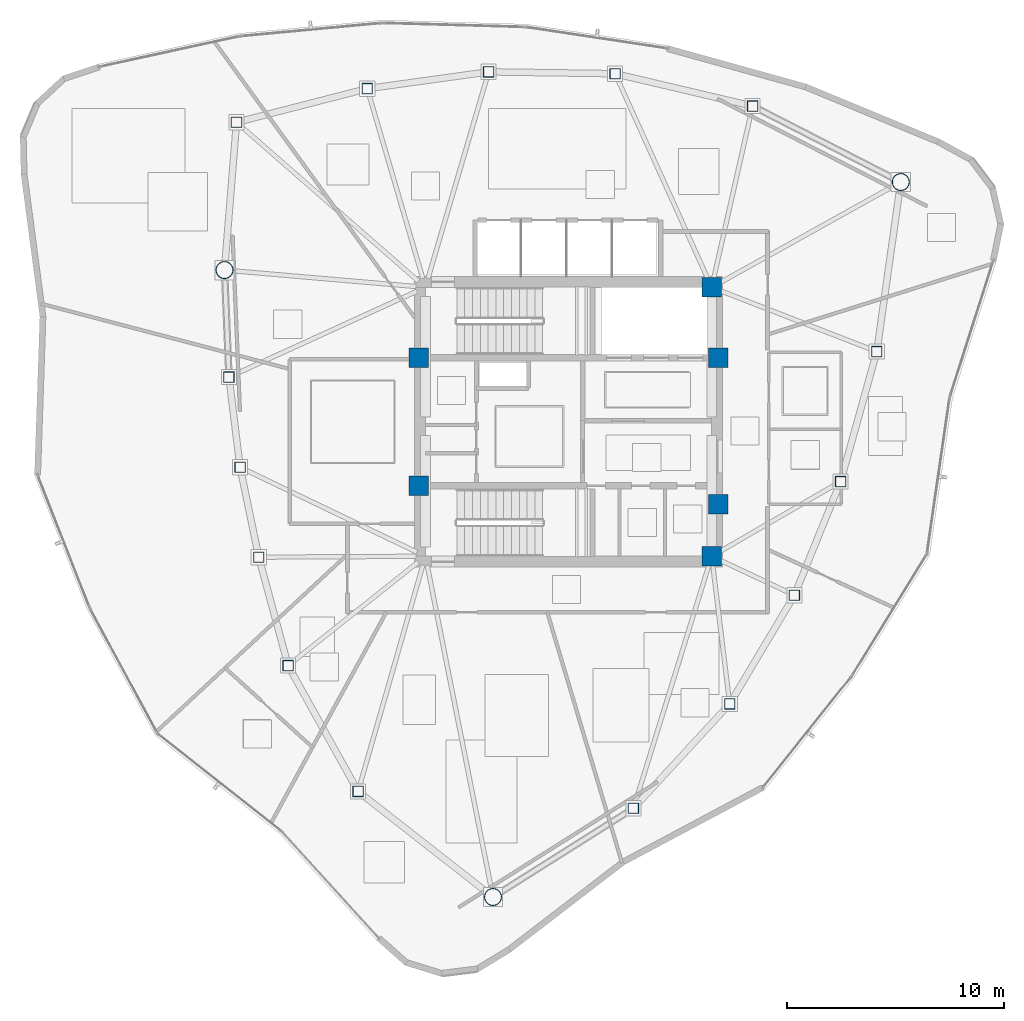
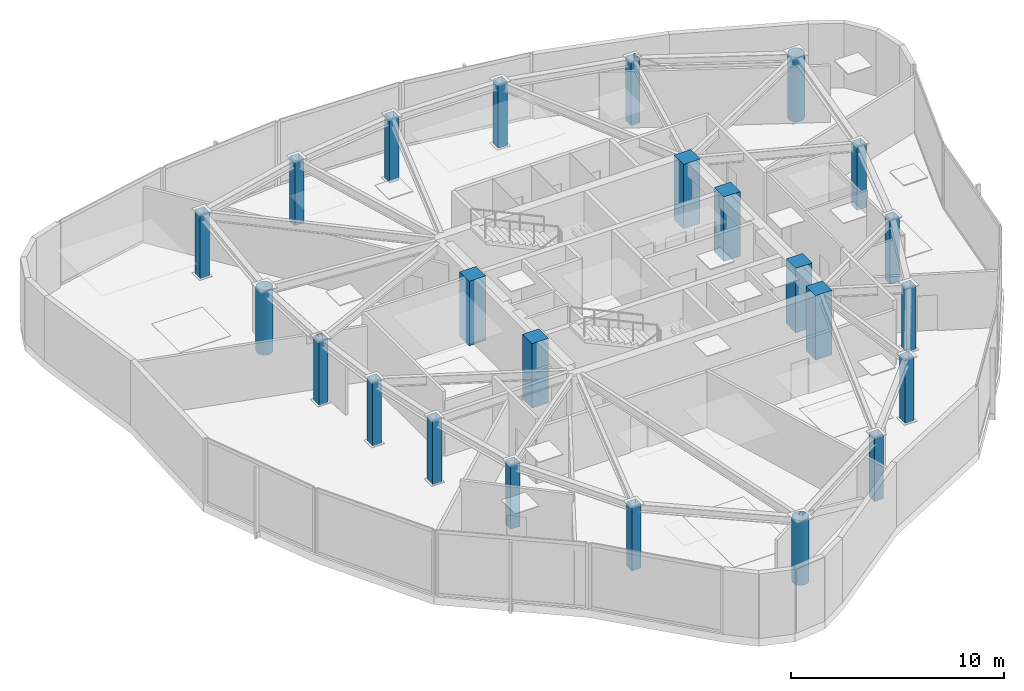
# One storey, part 1 of 14: 24 columns.
"""IFC4 building model written with IfcOpenShell, lengths in metres."""

from ifc_helpers import new_model, si_unit, direction, frame, origin, origin_2d, place, context, subcontext, project, spatial, rectangle, hollow_rectangle, hollow_circle, extrude, material, material_profile, profile_set, type_object, element, save


model = new_model("IFC4")

# Units and contexts
model_context = context("Model", 3, precision=1e-05, world=origin(), true_north=direction((0.0, 1.0)))
body_context = subcontext(model_context, "Body", "Model", "MODEL_VIEW")
ifc_project = project(units=[si_unit("LENGTHUNIT", "METRE"), si_unit("AREAUNIT", "SQUARE_METRE"), si_unit("VOLUMEUNIT", "CUBIC_METRE"), si_unit("PLANEANGLEUNIT", "RADIAN"), si_unit("MASSUNIT", "GRAM", prefix="KILO")], contexts=[model_context])

# Site, building, storey
site_placement = place(None, origin())
site = spatial("IfcSite", under=ifc_project, at=site_placement, CompositionType="ELEMENT")
building_placement = place(site_placement, origin())
building = spatial("IfcBuilding", under=site, at=building_placement, Name="Tavelor Broadcast Tower", CompositionType="ELEMENT")
storey_placement = place(building_placement, frame((0.0, 0.0, 273.5)))
storey = spatial("IfcBuildingStorey", under=building, at=storey_placement, Name="L65", CompositionType="ELEMENT", Elevation=273.5)

# Columns
ifc_material_1 = material(Name="Concrete C50/60", Category="concrete")
ifc_material_profile_1 = material_profile(ifc_material_1, rectangle(XDim=0.89990234375, YDim=0.89990234375, at=origin_2d()), Name="RC 900x900")
ifc_profile_set_1 = profile_set([ifc_material_profile_1], Name="Concrete C50/60")
column_type_1 = type_object("IfcColumnType", Name="Core Embedded Composite Column RC900", PredefinedType="COLUMN", material=ifc_profile_set_1)
for number, where, z_axis, x_axis, name in (
    (1, (43.10009765625, 47.949951171875, 0.0), (0.0, 0.0, 1.0), (1.0, 0.0, 0.0), "L65 Core Embedded Column 1"),
    (2, (56.89990234375, 47.949951171875, 0.0), (0.0, 0.0, 1.0), (1.0, 0.0, 0.0), "L65 Core Embedded Column 2"),
    (3, (56.60009765625, 51.199951171875, 0.0), (0.0, 0.0, 1.0), (1.0, 0.0, 0.0), "L65 Core Embedded Column 3"),
    (4, (43.10009765625, 42.050048828125, 0.0), (0.0, 0.0, 1.0), (1.0, 0.0, 0.0), "L65 Core Embedded Column 4"),
    (5, (56.89990234375, 41.199951171875, 0.0), (0.0, 0.0, 1.0), (1.0, 0.0, 0.0), "L65 Core Embedded Column 5"),
    (6, (56.60009765625, 38.800048828125, 0.0), (0.0, 0.0, 1.0), (1.0, 0.0, 0.0), "L65 Core Embedded Column 6"),
):
    element("IfcColumn", number, at=place(storey_placement, frame(where, z_axis=z_axis, x_axis=x_axis)), inside=storey, type_object=column_type_1, Name=name, PredefinedType="COLUMN", context=body_context, shape_type="SweptSolid", body=[
        extrude(rectangle(XDim=0.89990234375, YDim=0.89990234375, at=origin_2d()), origin(), (0.0, 0.0, 1.0), 3.699951171875),
    ])
ifc_material_2 = material(Name="Steel S460", Category="steel")
ifc_material_profile_2 = material_profile(ifc_material_2, hollow_rectangle(XDim=0.5, YDim=0.5, WallThickness=0.030029296875, at=origin_2d()), Name="SHS 500x500x30")
ifc_profile_set_2 = profile_set([ifc_material_profile_2], Name="Steel S460")
column_type_2 = type_object("IfcColumnType", Name="Perimeter Tube Column T7 SHS 500x500x30", PredefinedType="COLUMN", material=ifc_profile_set_2)
for number, where, z_axis, x_axis, name in (
    (7, (34.341552734375, 47.061279296875, 0.0), (0.0, 0.0, 1.0), (1.0, 0.0, 0.0), "L65 Perimeter Framed-Tube Column 02"),
    (8, (34.85400390625, 42.90185546875, 0.0), (0.0, 0.0, 1.0), (1.0, 0.0, 0.0), "L65 Perimeter Framed-Tube Column 03"),
    (9, (35.716552734375, 38.757080078125, 0.0), (0.0, 0.0, 1.0), (1.0, 0.0, 0.0), "L65 Perimeter Framed-Tube Column 04"),
    (10, (37.068115234375, 33.759521484375, 0.0), (0.0, 0.0, 1.0), (1.0, 0.0, 0.0), "L65 Perimeter Framed-Tube Column 05"),
    (11, (40.29638671875, 27.95361328125, 0.0), (0.0, 0.0, 1.0), (1.0, 0.0, 0.0), "L65 Perimeter Framed-Tube Column 06"),
    (12, (52.992919921875, 27.1767578125, 0.0), (0.0, 0.0, 1.0), (1.0, 0.0, 0.0), "L65 Perimeter Framed-Tube Column 08"),
    (13, (57.431396484375, 31.9921875, 0.0), (0.0, 0.0, 1.0), (1.0, 0.0, 0.0), "L65 Perimeter Framed-Tube Column 09"),
    (14, (60.41748046875, 37.00439453125, 0.0), (0.0, 0.0, 1.0), (1.0, 0.0, 0.0), "L65 Perimeter Framed-Tube Column 10"),
    (15, (62.543701171875, 42.240478515625, 0.0), (0.0, 0.0, 1.0), (1.0, 0.0, 0.0), "L65 Perimeter Framed-Tube Column 11"),
    (16, (64.21435546875, 48.2373046875, 0.0), (0.0, 0.0, 1.0), (1.0, 0.0, 0.0), "L65 Perimeter Framed-Tube Column 12"),
    (17, (58.485595703125, 59.55712890625, 0.0), (0.0, 0.0, 1.0), (1.0, 0.0, 0.0), "L65 Perimeter Framed-Tube Column 14"),
    (18, (52.147216796875, 61.05078125, 0.0), (0.0, 0.0, 1.0), (1.0, 0.0, 0.0), "L65 Perimeter Framed-Tube Column 15"),
    (19, (46.3154296875, 61.13720703125, 0.0), (0.0, 0.0, 1.0), (1.0, 0.0, 0.0), "L65 Perimeter Framed-Tube Column 16"),
    (20, (40.718017578125, 60.36083984375, 0.0), (0.0, 0.0, 1.0), (1.0, 0.0, 0.0), "L65 Perimeter Framed-Tube Column 17"),
    (21, (34.689208984375, 58.80908203125, 0.0), (0.0, 0.0, 1.0), (1.0, 0.0, 0.0), "L65 Perimeter Framed-Tube Column 18"),
):
    element("IfcColumn", number, at=place(storey_placement, frame(where, z_axis=z_axis, x_axis=x_axis)), inside=storey, type_object=column_type_2, Name=name, PredefinedType="COLUMN", context=body_context, shape_type="SweptSolid", body=[
        extrude(hollow_rectangle(XDim=0.5, YDim=0.5, WallThickness=0.030029296875, at=origin_2d()), origin(), (0.0, 0.0, 1.0), 3.699951171875),
    ])
ifc_material_profile_3 = material_profile(ifc_material_2, hollow_circle(Radius=0.406494140625, WallThickness=0.035888671875, at=origin_2d()), Name="CHS 813x36")
ifc_profile_set_3 = profile_set([ifc_material_profile_3], Name="Steel S460")
column_type_3 = type_object("IfcColumnType", Name="Tower Mega Column T7 CHS 813x36", PredefinedType="COLUMN", material=ifc_profile_set_3)
for number, where, z_axis, x_axis, name in (
    (22, (34.134765625, 51.995849609375, 0.0), (0.0, 0.0, 1.0), (1.0, 0.0, 0.0), "L65 Tower Corner Mega Column 01"),
    (23, (46.5146484375, 23.08740234375, 0.0), (0.0, 0.0, 1.0), (1.0, 0.0, 0.0), "L65 Tower Corner Mega Column 07"),
    (24, (65.319580078125, 56.0556640625, 0.0), (0.0, 0.0, 1.0), (1.0, 0.0, 0.0), "L65 Tower Corner Mega Column 13"),
):
    element("IfcColumn", number, at=place(storey_placement, frame(where, z_axis=z_axis, x_axis=x_axis)), inside=storey, type_object=column_type_3, Name=name, PredefinedType="COLUMN", context=body_context, shape_type="SweptSolid", body=[
        extrude(hollow_circle(Radius=0.406494140625, WallThickness=0.035888671875, at=origin_2d()), origin(), (0.0, 0.0, 1.0), 3.699951171875),
    ])

save(model, "model.ifc")
